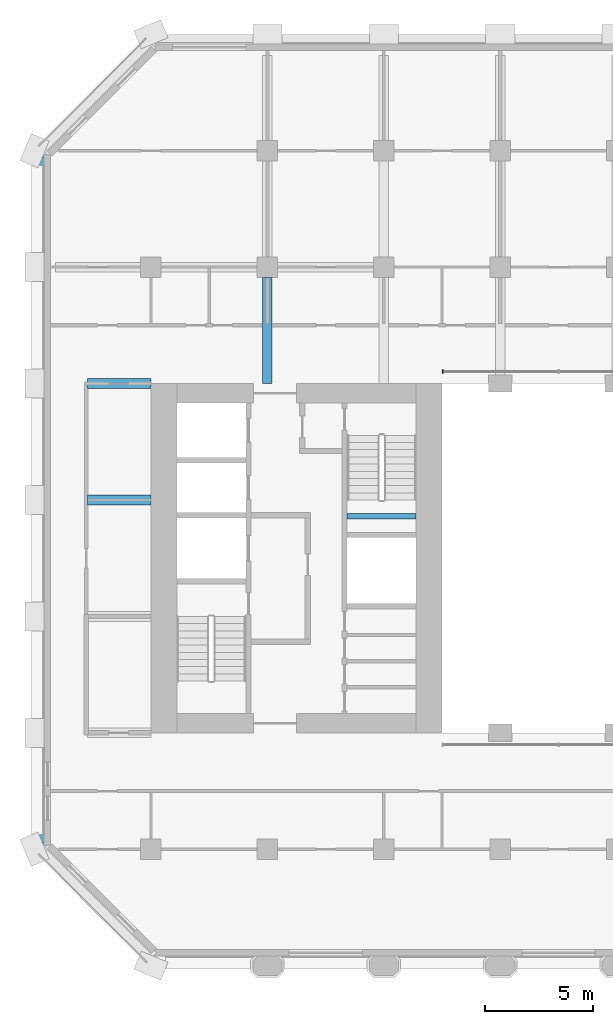
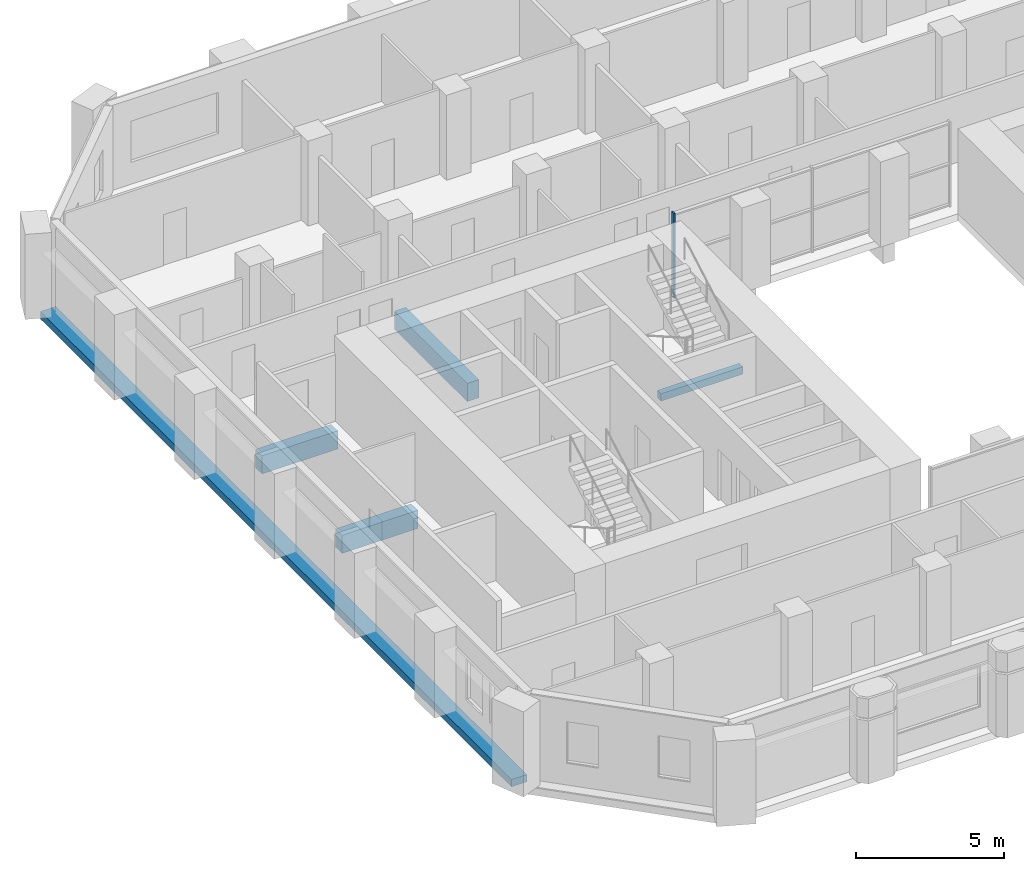
# One storey, part 3 of 12: 5 beams, 1 member, 1 element without a shape of its own.
"""IFC4 building model written with IfcOpenShell, lengths in metres."""

from ifc_helpers import new_model, si_unit, direction, frame, origin, origin_2d, place, context, subcontext, project, spatial, rectangle, extrude, material, material_profile, profile_set, type_object, element, aggregate, save


model = new_model("IFC4")

# Units and contexts
model_context = context("Model", 3, precision=1e-05, world=origin(), true_north=direction((0.0, 1.0)))
body_context = subcontext(model_context, "Body", "Model", "MODEL_VIEW")
ifc_project = project(units=[si_unit("LENGTHUNIT", "METRE"), si_unit("AREAUNIT", "SQUARE_METRE"), si_unit("VOLUMEUNIT", "CUBIC_METRE"), si_unit("PLANEANGLEUNIT", "RADIAN"), si_unit("MASSUNIT", "GRAM", prefix="KILO")], contexts=[model_context])

# Site, building, storey
site_placement = place(None, origin())
site = spatial("IfcSite", under=ifc_project, at=site_placement, CompositionType="ELEMENT")
building_placement = place(site_placement, origin())
building = spatial("IfcBuilding", under=site, at=building_placement, Name="Tabaq Tower and Sports Hall", CompositionType="ELEMENT")
storey_placement = place(building_placement, frame((0.0, 0.0, 99.199951171875)))
storey = spatial("IfcBuildingStorey", under=building, at=storey_placement, Name="L23", CompositionType="ELEMENT", Elevation=99.199951171875)

# Curtain wall, member
ifc_material_1 = material(Name="Aluminium alloy 6063-T6 framed glazing", Category="aluminium")
curtain_wall_type = type_object("IfcCurtainWallType", Name="CW1 curtain wall", PredefinedType="USERDEFINED", material=ifc_material_1)
curtain_wall_placement = place(storey_placement, origin())
curtain_wall = element("IfcCurtainWall", 1, at=curtain_wall_placement, inside=storey, type_object=curtain_wall_type, Name="Atrium glazing L23 N", ObjectType="ATRIUM ENCLOSURE", PredefinedType="USERDEFINED")
ifc_material_2 = material(Name="Aluminium alloy 6063-T6", Category="aluminium")
ifc_material_profile_1 = material_profile(ifc_material_2, rectangle(XDim=0.159912109375, YDim=0.06005859375, at=origin_2d()), Name="MULLION 160x60")
ifc_profile_set_1 = profile_set([ifc_material_profile_1], Name="Aluminium alloy 6063-T6")
member_type = type_object("IfcMemberType", Name="CW1 mullion 160x60", PredefinedType="MULLION", material=ifc_profile_set_1)
member_placement = place(storey_placement, frame((18.929931640625, 32.949951171875, 0.0), z_axis=(0.0, 0.0, 1.0), x_axis=(0.0, 1.0, 0.0)))
member = element("IfcMember", 2, at=member_placement, type_object=member_type, Name="CW1 mullion 1", PredefinedType="MULLION", context=body_context, shape_type="SweptSolid", body=[
    extrude(rectangle(XDim=0.159912109375, YDim=0.06005859375, at=origin_2d()), origin(), (0.0, 0.0, 1.0), 3.5),
])
aggregate(curtain_wall, [member])

# Beams
ifc_material_3 = material(Name="Concrete C40/50", Category="concrete")
ifc_material_profile_2 = material_profile(ifc_material_3, rectangle(XDim=0.449951171875, YDim=0.75, at=origin_2d()), Name="CB 450x750")
ifc_profile_set_2 = profile_set([ifc_material_profile_2], Name="Concrete C40/50")
beam_type_1 = type_object("IfcBeamType", Name="PT CANTILEVER BEAM CB 450x750 C40/50", PredefinedType="BEAM", material=ifc_profile_set_2)
for number, where, z_axis, x_axis, name in (
    (3, (2.449951171875, 27.0, -0.675048828125), (1.0, 0.0, 0.0), (0.0, 1.0, 0.0), "Cantilever Beam L23 W5 span 1"),
    (4, (2.449951171875, 32.39990234375, -0.675048828125), (1.0, 0.0, 0.0), (0.0, 1.0, 0.0), "Cantilever Beam L23 W6 span 1"),
):
    element("IfcBeam", number, at=place(storey_placement, frame(where, z_axis=z_axis, x_axis=x_axis)), inside=storey, type_object=beam_type_1, Name=name, PredefinedType="BEAM", context=body_context, shape_type="SweptSolid", body=[
        extrude(rectangle(XDim=0.449951171875, YDim=0.75, at=origin_2d()), origin(), (0.0, 0.0, 1.0), 2.949951171875),
    ])
beam_1_placement = place(storey_placement, frame((10.800048828125, 37.324951171875, -0.675048828125), z_axis=(0.0, -1.0, 0.0), x_axis=(1.0, 0.0, 0.0)))
element("IfcBeam", 5, at=beam_1_placement, inside=storey, type_object=beam_type_1, Name="Cantilever Beam L23 N2 span 3", PredefinedType="BEAM", context=body_context, shape_type="SweptSolid", body=[
    extrude(rectangle(XDim=0.449951171875, YDim=0.75, at=origin_2d()), origin(), (0.0, 0.0, 1.0), 4.925048828125),
])
ifc_material_4 = material(Name="Concrete C40/50", Category="concrete")
ifc_material_profile_3 = material_profile(ifc_material_4, rectangle(XDim=0.60009765625, YDim=0.300048828125, at=origin_2d()), Name="EB 600x300")
ifc_profile_set_3 = profile_set([ifc_material_profile_3], Name="Concrete C40/50")
beam_type_2 = type_object("IfcBeamType", Name="PT EDGE BEAM EB 600x300 C40/50", PredefinedType="SPANDREL", material=ifc_profile_set_3)
beam_2_placement = place(storey_placement, frame((0.300048828125, 42.9013671875, -0.14990234375), z_axis=(0.0, -1.0, 0.0), x_axis=(1.0, 0.0, 0.0)))
element("IfcBeam", 6, at=beam_2_placement, inside=storey, type_object=beam_type_2, Name="Edge Beam L23 4", PredefinedType="SPANDREL", context=body_context, shape_type="SweptSolid", body=[
    extrude(rectangle(XDim=0.60009765625, YDim=0.300048828125, at=origin_2d()), origin(), (0.0, 0.0, 1.0), 31.802734375),
])
ifc_material_5 = material(Name="Concrete C40/50", Category="concrete")
ifc_material_profile_4 = material_profile(ifc_material_5, rectangle(XDim=0.25, YDim=0.300048828125, at=origin_2d()), Name="RC 250x300")
ifc_profile_set_4 = profile_set([ifc_material_profile_4], Name="Concrete C40/50")
beam_type_3 = type_object("IfcBeamType", Name="Stair landing beam 250x300", PredefinedType="BEAM", material=ifc_profile_set_4)
beam_3_placement = place(storey_placement, frame((14.5, 26.25, 1.550048828125), z_axis=(1.0, 0.0, 0.0), x_axis=(0.0, 1.0, 0.0)))
element("IfcBeam", 7, at=beam_3_placement, inside=storey, type_object=beam_type_3, Name="L23 ST2 landing beam 1", PredefinedType="BEAM", context=body_context, shape_type="SweptSolid", body=[
    extrude(rectangle(XDim=0.25, YDim=0.300048828125, at=origin_2d()), origin(), (0.0, 0.0, 1.0), 3.199951171875),
])

save(model, "model.ifc")
